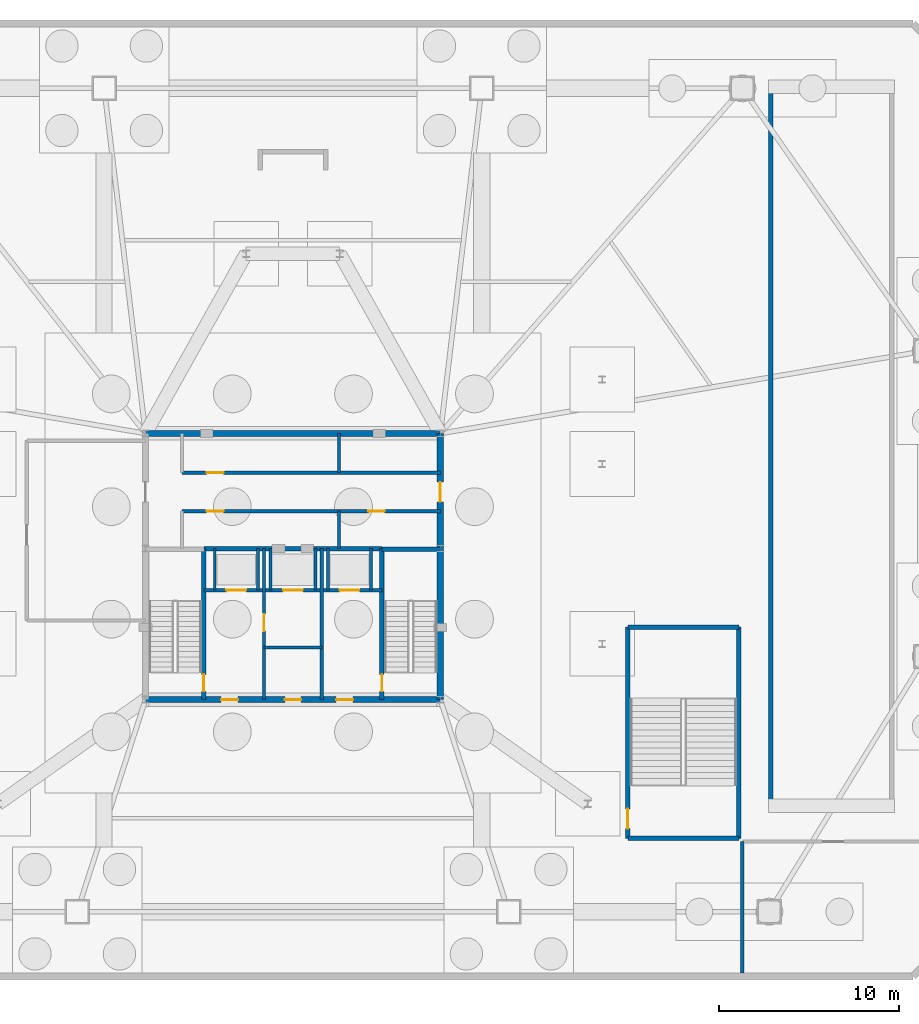
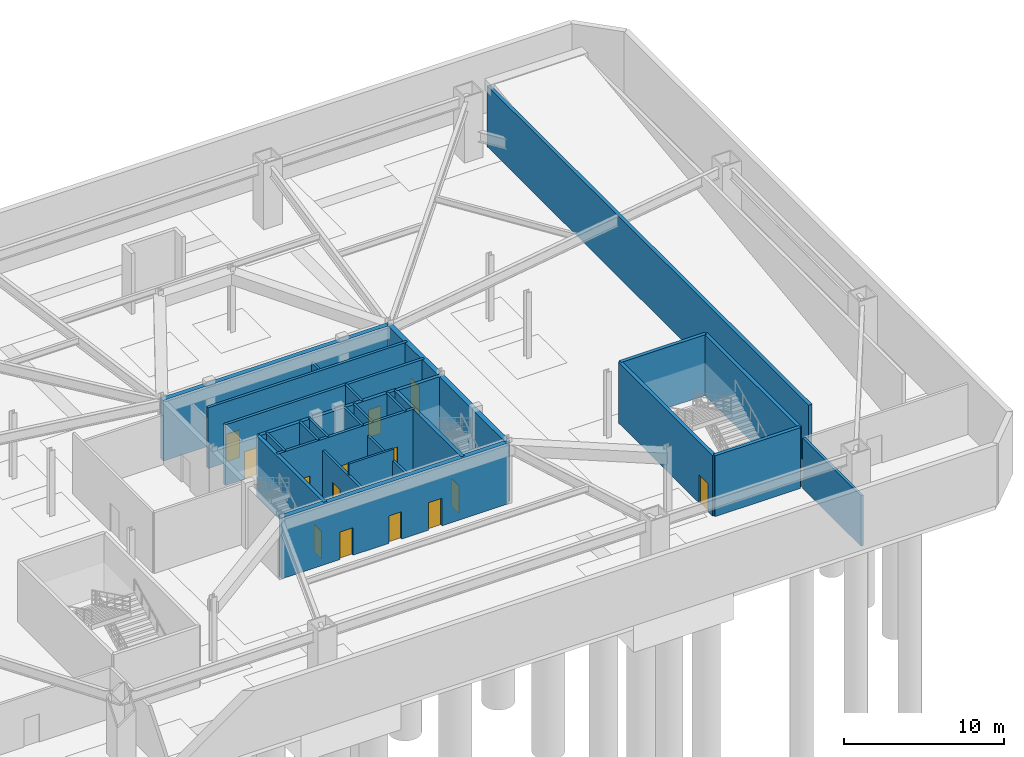
# One storey, part 8 of 12: 27 walls, 14 doors, 14 openings.
"""IFC4 building model written with IfcOpenShell, lengths in metres."""

from ifc_helpers import new_model, si_unit, direction, frame, frame_2d, origin, place, context, subcontext, project, spatial, rectangle, extrude, material, layer, layer_set, type_object, element, fill, save


model = new_model("IFC4")

# Units and contexts
model_context = context("Model", 3, precision=1e-05, world=origin(), true_north=direction((0.0, 1.0)))
body_context = subcontext(model_context, "Body", "Model", "MODEL_VIEW")
ifc_project = project(units=[si_unit("LENGTHUNIT", "METRE"), si_unit("AREAUNIT", "SQUARE_METRE"), si_unit("VOLUMEUNIT", "CUBIC_METRE"), si_unit("PLANEANGLEUNIT", "RADIAN"), si_unit("MASSUNIT", "GRAM", prefix="KILO")], contexts=[model_context])

# Site, building, storey
site_placement = place(None, origin())
site = spatial("IfcSite", under=ifc_project, at=site_placement, CompositionType="ELEMENT")
building_placement = place(site_placement, origin())
building = spatial("IfcBuilding", under=site, at=building_placement, Name="Varakhsha Concourse Tower", CompositionType="ELEMENT")
storey_placement = place(building_placement, frame((0.0, 0.0, -10.0)))
storey = spatial("IfcBuildingStorey", under=building, at=storey_placement, Name="B02", CompositionType="ELEMENT", Elevation=-10.0)

# Wall, openings, doors
ifc_material_1 = material(Name="Concrete fc 65 MPa", Category="concrete")
ifc_layer_1 = layer(ifc_material_1, 0.35009765625, Name="WL-CORE-350")
ifc_layer_set_1 = layer_set([ifc_layer_1], Name="Concrete fc 65 MPa")
wall_type_1 = type_object("IfcWallType", Name="WL-CORE-350", PredefinedType="SHEAR", material=ifc_layer_set_1)
wall_1_placement = place(storey_placement, frame((31.800048828125, 16.39990234375, 0.0), z_axis=(0.0, 0.0, 1.0), x_axis=(1.0, 0.0, 0.0)))
wall_1 = element("IfcWall", 1, at=wall_1_placement, inside=storey, type_object=wall_type_1, Name="B02 Wall CWALL-S-B02", PredefinedType="SHEAR", context=body_context, shape_type="SweptSolid", body=[
    extrude(rectangle(XDim=16.39990234375, YDim=0.35009765625, at=frame_2d((8.199951171875, 0.0))), origin(), (0.0, 0.0, 1.0), 4.639892578125),
])
opening_1_placement = place(wall_1_placement, frame((7.75, 0.0, 0.0)))
opening_1 = element("IfcOpeningElement", 2, at=opening_1_placement, cuts=wall_1, Name="Opening DF-06", PredefinedType="OPENING", context=body_context, shape_type="SweptSolid", body=[
    extrude(rectangle(XDim=0.89990234375, YDim=2.10009765625, at=frame_2d((0.449951171875, 1.050048828125))), frame((0.0, 0.18505859375, 0.0), z_axis=(0.0, -1.0, 0.0), x_axis=(1.0, 0.0, 0.0)), (0.0, 0.0, 1.0), 0.3701171875),
])
opening_2_placement = place(wall_1_placement, frame((4.199951171875, 0.0, 0.0)))
opening_2 = element("IfcOpeningElement", 3, at=opening_2_placement, cuts=wall_1, Name="Opening DF-05", PredefinedType="OPENING", context=body_context, shape_type="SweptSolid", body=[
    extrude(rectangle(XDim=0.949951171875, YDim=2.10009765625, at=frame_2d((0.47509765625, 1.050048828125))), frame((0.0, 0.18505859375, 0.0), z_axis=(0.0, -1.0, 0.0), x_axis=(1.0, 0.0, 0.0)), (0.0, 0.0, 1.0), 0.3701171875),
])
opening_3_placement = place(wall_1_placement, frame((10.60009765625, 0.0, 0.0)))
opening_3 = element("IfcOpeningElement", 4, at=opening_3_placement, cuts=wall_1, Name="Opening DF-05", PredefinedType="OPENING", context=body_context, shape_type="SweptSolid", body=[
    extrude(rectangle(XDim=0.949951171875, YDim=2.10009765625, at=frame_2d((0.47509765625, 1.050048828125))), frame((0.0, 0.18505859375, 0.0), z_axis=(0.0, -1.0, 0.0), x_axis=(1.0, 0.0, 0.0)), (0.0, 0.0, 1.0), 0.3701171875),
])
ifc_material_2 = material(Name="Hollow Galvanised Steel Fire Door Assembly", Category="steel")
door_type_1 = type_object("IfcDoorType", Name="DR-FD60-900", OperationType="NOTDEFINED", PredefinedType="DOOR", material=ifc_material_2)
door_1_placement = place(opening_1_placement, origin())
door_1 = element("IfcDoor", 5, at=door_1_placement, inside=storey, type_object=door_type_1, Name="B02 Electrical Riser Access Door", OperationType="SINGLE_SWING_LEFT", OverallHeight=2.10009765625, OverallWidth=0.89990234375, PredefinedType="DOOR", context=body_context, shape_type="SweptSolid", body=[
    extrude(rectangle(XDim=0.89990234375, YDim=2.10009765625, at=frame_2d((0.449951171875, 1.050048828125))), frame((0.0, 0.02490234375, 0.0), z_axis=(0.0, -1.0, 0.0), x_axis=(1.0, 0.0, 0.0)), (0.0, 0.0, 1.0), 0.050048828125),
])
fill(opening_1, door_1)
door_type_2 = type_object("IfcDoorType", Name="DR-FD60-950", OperationType="NOTDEFINED", PredefinedType="DOOR", material=ifc_material_2)
door_2_placement = place(opening_2_placement, origin())
door_2 = element("IfcDoor", 6, at=door_2_placement, inside=storey, type_object=door_type_2, Name="B02 Firefighting Lobby West Door", OperationType="SINGLE_SWING_RIGHT", OverallHeight=2.10009765625, OverallWidth=0.949951171875, PredefinedType="DOOR", context=body_context, shape_type="SweptSolid", body=[
    extrude(rectangle(XDim=0.949951171875, YDim=2.10009765625, at=frame_2d((0.47509765625, 1.050048828125))), frame((0.0, 0.02490234375, 0.0), z_axis=(0.0, -1.0, 0.0), x_axis=(1.0, 0.0, 0.0)), (0.0, 0.0, 1.0), 0.050048828125),
])
fill(opening_2, door_2)
door_3_placement = place(opening_3_placement, origin())
door_3 = element("IfcDoor", 7, at=door_3_placement, inside=storey, type_object=door_type_2, Name="B02 Firefighting Lobby East Door", OperationType="SINGLE_SWING_LEFT", OverallHeight=2.10009765625, OverallWidth=0.949951171875, PredefinedType="DOOR", context=body_context, shape_type="SweptSolid", body=[
    extrude(rectangle(XDim=0.949951171875, YDim=2.10009765625, at=frame_2d((0.47509765625, 1.050048828125))), frame((0.0, 0.02490234375, 0.0), z_axis=(0.0, -1.0, 0.0), x_axis=(1.0, 0.0, 0.0)), (0.0, 0.0, 1.0), 0.050048828125),
])
fill(opening_3, door_3)

# Wall
wall_2_placement = place(storey_placement, frame((31.800048828125, 31.199951171875, 0.0), z_axis=(0.0, 0.0, 1.0), x_axis=(1.0, 0.0, 0.0)))
element("IfcWall", 8, at=wall_2_placement, inside=storey, type_object=wall_type_1, Name="B02 Wall CWALL-N-B02", PredefinedType="SHEAR", context=body_context, shape_type="SweptSolid", body=[
    extrude(rectangle(XDim=16.39990234375, YDim=0.35009765625, at=frame_2d((8.199951171875, 0.0))), origin(), (0.0, 0.0, 1.0), 4.639892578125),
])

# Wall, opening, door
wall_3_placement = place(storey_placement, frame((48.199951171875, 16.39990234375, 0.0), z_axis=(0.0, 0.0, 1.0), x_axis=(0.0, 1.0, 0.0)))
wall_3 = element("IfcWall", 9, at=wall_3_placement, inside=storey, type_object=wall_type_1, Name="B02 Wall CWALL-E-B02", PredefinedType="SHEAR", context=body_context, shape_type="SweptSolid", body=[
    extrude(rectangle(XDim=14.800048828125, YDim=0.35009765625, at=frame_2d((7.39990234375, 0.0))), origin(), (0.0, 0.0, 1.0), 4.639892578125),
])
opening_4_placement = place(wall_3_placement, frame((11.0, 0.0, 0.0)))
opening_4 = element("IfcOpeningElement", 10, at=opening_4_placement, cuts=wall_3, Name="Opening DL-01", PredefinedType="OPENING", context=body_context, shape_type="SweptSolid", body=[
    extrude(rectangle(XDim=1.10009765625, YDim=2.14990234375, at=frame_2d((0.550048828125, 1.074951171875))), frame((0.0, 0.18505859375, 0.0), z_axis=(0.0, -1.0, 0.0), x_axis=(1.0, 0.0, 0.0)), (0.0, 0.0, 1.0), 0.3701171875),
])
ifc_material_3 = material(Name="Anodised Bronze Architectural Aluminium AA 6063-T6", Category="aluminium")
door_type_3 = type_object("IfcDoorType", Name="DR-LOB-1100", OperationType="NOTDEFINED", PredefinedType="DOOR", material=ifc_material_3)
door_4_placement = place(opening_4_placement, origin())
door_4 = element("IfcDoor", 11, at=door_4_placement, inside=storey, type_object=door_type_3, Name="B02 Lift Lobby East Concourse Door", OperationType="SINGLE_SWING_RIGHT", OverallHeight=2.14990234375, OverallWidth=1.10009765625, PredefinedType="DOOR", context=body_context, shape_type="SweptSolid", body=[
    extrude(rectangle(XDim=1.10009765625, YDim=2.14990234375, at=frame_2d((0.550048828125, 1.074951171875))), frame((0.0, 0.02490234375, 0.0), z_axis=(0.0, -1.0, 0.0), x_axis=(1.0, 0.0, 0.0)), (0.0, 0.0, 1.0), 0.050048828125),
])
fill(opening_4, door_4)

ifc_material_4 = material(Name="Fire-Rated Type X Gypsum Partition Assembly", Category="gypsum")
ifc_layer_2 = layer(ifc_material_4, 0.179931640625, Name="WL-FFLOB-180")
ifc_layer_set_2 = layer_set([ifc_layer_2], Name="Fire-Rated Type X Gypsum Partition Assembly")
wall_type_2 = type_object("IfcWallType", Name="WL-FFLOB-180", PredefinedType="PARTITIONING", material=ifc_layer_set_2)
wall_4_placement = place(storey_placement, frame((38.389892578125, 16.39990234375, 0.0), z_axis=(0.0, 0.0, 1.0), x_axis=(0.0, 1.0, 0.0)))
wall_4 = element("IfcWall", 12, at=wall_4_placement, inside=storey, type_object=wall_type_2, Name="B02 Wall FFW-1E-B02", PredefinedType="PARTITIONING", context=body_context, shape_type="SweptSolid", body=[
    extrude(rectangle(XDim=8.400146484375, YDim=0.179931640625, at=frame_2d((4.2001953125, 0.0))), origin(), (0.0, 0.0, 1.0), 3.780029296875),
])
opening_5_placement = place(wall_4_placement, frame((3.800048828125, 0.0, 0.0)))
opening_5 = element("IfcOpeningElement", 13, at=opening_5_placement, cuts=wall_4, Name="Opening DF-05", PredefinedType="OPENING", context=body_context, shape_type="SweptSolid", body=[
    extrude(rectangle(XDim=0.949951171875, YDim=2.10009765625, at=frame_2d((0.47509765625, 1.050048828125))), frame((0.0, 0.099853515625, 0.0), z_axis=(0.0, -1.0, 0.0), x_axis=(1.0, 0.0, 0.0)), (0.0, 0.0, 1.0), 0.199951171875),
])
door_5_placement = place(opening_5_placement, origin())
door_5 = element("IfcDoor", 14, at=door_5_placement, inside=storey, type_object=door_type_2, Name="B02 Service Vestibule Door", OperationType="SINGLE_SWING_RIGHT", OverallHeight=2.10009765625, OverallWidth=0.949951171875, PredefinedType="DOOR", context=body_context, shape_type="SweptSolid", body=[
    extrude(rectangle(XDim=0.949951171875, YDim=2.10009765625, at=frame_2d((0.47509765625, 1.050048828125))), frame((0.0, 0.02490234375, 0.0), z_axis=(0.0, -1.0, 0.0), x_axis=(1.0, 0.0, 0.0)), (0.0, 0.0, 1.0), 0.050048828125),
])
fill(opening_5, door_5)

# Walls
wall_5_placement = place(storey_placement, frame((41.610107421875, 16.39990234375, 0.0), z_axis=(0.0, 0.0, 1.0), x_axis=(0.0, 1.0, 0.0)))
element("IfcWall", 15, at=wall_5_placement, inside=storey, type_object=wall_type_2, Name="B02 Wall FFW-2W-B02", PredefinedType="PARTITIONING", context=body_context, shape_type="SweptSolid", body=[
    extrude(rectangle(XDim=8.400146484375, YDim=0.179931640625, at=frame_2d((4.2001953125, 0.0))), origin(), (0.0, 0.0, 1.0), 3.780029296875),
])
ifc_layer_3 = layer(ifc_material_4, 0.14990234375, Name="WL-PART-150")
ifc_layer_set_3 = layer_set([ifc_layer_3], Name="Fire-Rated Type X Gypsum Partition Assembly")
wall_type_3 = type_object("IfcWallType", Name="WL-PART-150", PredefinedType="PARTITIONING", material=ifc_layer_set_3)
wall_6_placement = place(storey_placement, frame((38.389892578125, 19.300048828125, 0.0), z_axis=(0.0, 0.0, 1.0), x_axis=(1.0, 0.0, 0.0)))
element("IfcWall", 16, at=wall_6_placement, inside=storey, type_object=wall_type_3, Name="B02 Wall RSW-H-B02", PredefinedType="PARTITIONING", context=body_context, shape_type="SweptSolid", body=[
    extrude(rectangle(XDim=3.22021484375, YDim=0.14990234375, at=frame_2d((1.610107421875, 0.0))), origin(), (0.0, 0.0, 1.0), 4.639892578125),
])
ifc_layer_4 = layer(ifc_material_4, 0.179931640625, Name="WL-PART-180")
ifc_layer_set_4 = layer_set([ifc_layer_4], Name="Fire-Rated Type X Gypsum Partition Assembly")
wall_type_4 = type_object("IfcWallType", Name="WL-PART-180", PredefinedType="PARTITIONING", material=ifc_layer_set_4)
wall_7_placement = place(storey_placement, frame((65.0, 1.199951171875, 0.0), z_axis=(0.0, 0.0, 1.0), x_axis=(0.0, 1.0, 0.0)))
element("IfcWall", 17, at=wall_7_placement, inside=storey, type_object=wall_type_4, Name="B02 Wall BWALL-PLB-W-B02", PredefinedType="PARTITIONING", context=body_context, shape_type="SweptSolid", body=[
    extrude(rectangle(XDim=7.300048828125, YDim=0.179931640625, at=frame_2d((3.64990234375, 0.0))), origin(), (0.0, 0.0, 1.0), 3.85107421875),
])

# Wall, openings, doors
ifc_layer_5 = layer(ifc_material_4, 0.199951171875, Name="WL-SHAFT-220")
ifc_layer_set_5 = layer_set([ifc_layer_5], Name="Fire-Rated Type X Gypsum Partition Assembly")
wall_type_5 = type_object("IfcWallType", Name="WL-SHAFT-220", PredefinedType="SOLIDWALL", material=ifc_layer_set_5)
wall_8_placement = place(storey_placement, frame((35.044921875, 22.47998046875, 0.0), z_axis=(0.0, 0.0, 1.0), x_axis=(1.0, 0.0, 0.0)))
wall_8 = element("IfcWall", 18, at=wall_8_placement, inside=storey, type_object=wall_type_5, Name="B02 Wall FFW-NH-B02", PredefinedType="SOLIDWALL", context=body_context, shape_type="SweptSolid", body=[
    extrude(rectangle(XDim=9.91015625, YDim=0.199951171875, at=frame_2d((4.955078125, 0.0))), origin(), (0.0, 0.0, 1.0), 4.639892578125),
])
opening_6_placement = place(wall_8_placement, frame((1.2548828125, 0.0, 0.0)))
opening_6 = element("IfcOpeningElement", 19, at=opening_6_placement, cuts=wall_8, Name="Opening LD-FFL-1", PredefinedType="OPENING", context=body_context, shape_type="SweptSolid", body=[
    extrude(rectangle(XDim=1.10009765625, YDim=2.14990234375, at=frame_2d((0.550048828125, 1.074951171875))), frame((0.0, 0.10986328125, 0.0), z_axis=(0.0, -1.0, 0.0), x_axis=(1.0, 0.0, 0.0)), (0.0, 0.0, 1.0), 0.219970703125),
])
opening_7_placement = place(wall_8_placement, frame((7.554931640625, 0.0, 0.0)))
opening_7 = element("IfcOpeningElement", 20, at=opening_7_placement, cuts=wall_8, Name="Opening LD-FFL-2", PredefinedType="OPENING", context=body_context, shape_type="SweptSolid", body=[
    extrude(rectangle(XDim=1.10009765625, YDim=2.14990234375, at=frame_2d((0.550048828125, 1.074951171875))), frame((0.0, 0.10986328125, 0.0), z_axis=(0.0, -1.0, 0.0), x_axis=(1.0, 0.0, 0.0)), (0.0, 0.0, 1.0), 0.219970703125),
])
opening_8_placement = place(wall_8_placement, frame((4.405029296875, 0.0, 0.0)))
opening_8 = element("IfcOpeningElement", 21, at=opening_8_placement, cuts=wall_8, Name="Opening LD-SVL-1", PredefinedType="OPENING", context=body_context, shape_type="SweptSolid", body=[
    extrude(rectangle(XDim=1.10009765625, YDim=2.14990234375, at=frame_2d((0.550048828125, 1.074951171875))), frame((0.0, 0.10986328125, 0.0), z_axis=(0.0, -1.0, 0.0), x_axis=(1.0, 0.0, 0.0)), (0.0, 0.0, 1.0), 0.219970703125),
])
ifc_material_5 = material(Name="Brushed Austenitic Stainless Steel AISI 316", Category="steel")
door_type_4 = type_object("IfcDoorType", Name="DR-LD-1100", OperationType="DOUBLE_DOOR_SLIDING", PredefinedType="DOOR", material=ifc_material_5)
door_6_placement = place(opening_6_placement, origin())
door_6 = element("IfcDoor", 22, at=door_6_placement, inside=storey, type_object=door_type_4, Name="Lift Landing Door FFL-1 B02", OperationType="DOUBLE_DOOR_SLIDING", OverallHeight=2.14990234375, OverallWidth=1.10009765625, PredefinedType="DOOR", context=body_context, shape_type="SweptSolid", body=[
    extrude(rectangle(XDim=1.10009765625, YDim=2.14990234375, at=frame_2d((0.550048828125, 1.074951171875))), frame((0.0, 0.02490234375, 0.0), z_axis=(0.0, -1.0, 0.0), x_axis=(1.0, 0.0, 0.0)), (0.0, 0.0, 1.0), 0.050048828125),
])
fill(opening_6, door_6)
door_7_placement = place(opening_7_placement, origin())
door_7 = element("IfcDoor", 23, at=door_7_placement, inside=storey, type_object=door_type_4, Name="Lift Landing Door FFL-2 B02", OperationType="DOUBLE_DOOR_SLIDING", OverallHeight=2.14990234375, OverallWidth=1.10009765625, PredefinedType="DOOR", context=body_context, shape_type="SweptSolid", body=[
    extrude(rectangle(XDim=1.10009765625, YDim=2.14990234375, at=frame_2d((0.550048828125, 1.074951171875))), frame((0.0, 0.02490234375, 0.0), z_axis=(0.0, -1.0, 0.0), x_axis=(1.0, 0.0, 0.0)), (0.0, 0.0, 1.0), 0.050048828125),
])
fill(opening_7, door_7)
door_8_placement = place(opening_8_placement, origin())
door_8 = element("IfcDoor", 24, at=door_8_placement, inside=storey, type_object=door_type_4, Name="Lift Landing Door SVL-1 B02", OperationType="DOUBLE_DOOR_SLIDING", OverallHeight=2.14990234375, OverallWidth=1.10009765625, PredefinedType="DOOR", context=body_context, shape_type="SweptSolid", body=[
    extrude(rectangle(XDim=1.10009765625, YDim=2.14990234375, at=frame_2d((0.550048828125, 1.074951171875))), frame((0.0, 0.02490234375, 0.0), z_axis=(0.0, -1.0, 0.0), x_axis=(1.0, 0.0, 0.0)), (0.0, 0.0, 1.0), 0.050048828125),
])
fill(opening_8, door_8)

# Walls
for number, where, z_axis, x_axis, name in (
    (25, (35.64990234375, 22.47998046875, 0.0), (0.0, 0.0, 1.0), (0.0, 1.0, 0.0), "B02 Wall SHW-FFL-1-W-B02"),
    (26, (38.050048828125, 22.47998046875, 0.0), (0.0, 0.0, 1.0), (0.0, 1.0, 0.0), "B02 Wall SHW-FFL-1-E-B02"),
    (27, (41.949951171875, 22.47998046875, 0.0), (0.0, 0.0, 1.0), (0.0, 1.0, 0.0), "B02 Wall SHW-FFL-2-W-B02"),
    (28, (44.35009765625, 22.47998046875, 0.0), (0.0, 0.0, 1.0), (0.0, 1.0, 0.0), "B02 Wall SHW-FFL-2-E-B02"),
    (29, (38.75, 22.47998046875, 0.0), (0.0, 0.0, 1.0), (0.0, 1.0, 0.0), "B02 Wall SHW-SVL-1-W-B02"),
    (30, (41.25, 22.47998046875, 0.0), (0.0, 0.0, 1.0), (0.0, 1.0, 0.0), "B02 Wall SHW-SVL-1-E-B02"),
):
    element("IfcWall", number, at=place(storey_placement, frame(where, z_axis=z_axis, x_axis=x_axis)), inside=storey, type_object=wall_type_5, Name=name, PredefinedType="SOLIDWALL", context=body_context, shape_type="SweptSolid", body=[
        extrude(rectangle(XDim=2.320068359375, YDim=0.159912109375, at=frame_2d((1.16015625, 0.0))), origin(), (0.0, 0.0, 1.0), 4.639892578125),
    ])

# Wall, opening, door
wall_9_placement = place(storey_placement, frame((33.820068359375, 29.02001953125, 0.0), z_axis=(0.0, 0.0, 1.0), x_axis=(1.0, 0.0, 0.0)))
wall_9 = element("IfcWall", 31, at=wall_9_placement, inside=storey, type_object=wall_type_5, Name="B02 Wall PLW-N-B02", PredefinedType="SOLIDWALL", context=body_context, shape_type="SweptSolid", body=[
    extrude(rectangle(XDim=14.3798828125, YDim=0.199951171875, at=frame_2d((7.18994140625, 0.0))), origin(), (0.0, 0.0, 1.0), 4.639892578125),
])
opening_9_placement = place(wall_9_placement, frame((1.3798828125, 0.0, 0.0)))
opening_9 = element("IfcOpeningElement", 32, at=opening_9_placement, cuts=wall_9, Name="Opening DF-05", PredefinedType="OPENING", context=body_context, shape_type="SweptSolid", body=[
    extrude(rectangle(XDim=0.949951171875, YDim=2.10009765625, at=frame_2d((0.47509765625, 1.050048828125))), frame((0.0, 0.10986328125, 0.0), z_axis=(0.0, -1.0, 0.0), x_axis=(1.0, 0.0, 0.0)), (0.0, 0.0, 1.0), 0.219970703125),
])
door_9_placement = place(opening_9_placement, origin())
door_9 = element("IfcDoor", 33, at=door_9_placement, inside=storey, type_object=door_type_2, Name="B02 Core Store Door", OperationType="SINGLE_SWING_LEFT", OverallHeight=2.10009765625, OverallWidth=0.949951171875, PredefinedType="DOOR", context=body_context, shape_type="SweptSolid", body=[
    extrude(rectangle(XDim=0.949951171875, YDim=2.10009765625, at=frame_2d((0.47509765625, 1.050048828125))), frame((0.0, 0.02490234375, 0.0), z_axis=(0.0, -1.0, 0.0), x_axis=(1.0, 0.0, 0.0)), (0.0, 0.0, 1.0), 0.050048828125),
])
fill(opening_9, door_9)

# Wall, openings, doors
wall_10_placement = place(storey_placement, frame((33.820068359375, 26.8798828125, 0.0), z_axis=(0.0, 0.0, 1.0), x_axis=(1.0, 0.0, 0.0)))
wall_10 = element("IfcWall", 34, at=wall_10_placement, inside=storey, type_object=wall_type_5, Name="B02 Wall PLW-S-B02", PredefinedType="SOLIDWALL", context=body_context, shape_type="SweptSolid", body=[
    extrude(rectangle(XDim=14.3798828125, YDim=0.199951171875, at=frame_2d((7.18994140625, 0.0))), origin(), (0.0, 0.0, 1.0), 4.639892578125),
])
opening_10_placement = place(wall_10_placement, frame((1.3798828125, 0.0, 0.0)))
opening_10 = element("IfcOpeningElement", 35, at=opening_10_placement, cuts=wall_10, Name="Opening DF-05", PredefinedType="OPENING", context=body_context, shape_type="SweptSolid", body=[
    extrude(rectangle(XDim=0.949951171875, YDim=2.10009765625, at=frame_2d((0.47509765625, 1.050048828125))), frame((0.0, 0.10986328125, 0.0), z_axis=(0.0, -1.0, 0.0), x_axis=(1.0, 0.0, 0.0)), (0.0, 0.0, 1.0), 0.219970703125),
])
opening_11_placement = place(wall_10_placement, frame((10.3798828125, 0.0, 0.0)))
opening_11 = element("IfcOpeningElement", 36, at=opening_11_placement, cuts=wall_10, Name="Opening DF-06", PredefinedType="OPENING", context=body_context, shape_type="SweptSolid", body=[
    extrude(rectangle(XDim=0.89990234375, YDim=2.10009765625, at=frame_2d((0.449951171875, 1.050048828125))), frame((0.0, 0.10986328125, 0.0), z_axis=(0.0, -1.0, 0.0), x_axis=(1.0, 0.0, 0.0)), (0.0, 0.0, 1.0), 0.219970703125),
])
door_10_placement = place(opening_11_placement, origin())
door_10 = element("IfcDoor", 37, at=door_10_placement, inside=storey, type_object=door_type_1, Name="B02 Basement Janitor Door", OperationType="SINGLE_SWING_LEFT", OverallHeight=2.10009765625, OverallWidth=0.89990234375, PredefinedType="DOOR", context=body_context, shape_type="SweptSolid", body=[
    extrude(rectangle(XDim=0.89990234375, YDim=2.10009765625, at=frame_2d((0.449951171875, 1.050048828125))), frame((0.0, 0.02490234375, 0.0), z_axis=(0.0, -1.0, 0.0), x_axis=(1.0, 0.0, 0.0)), (0.0, 0.0, 1.0), 0.050048828125),
])
fill(opening_11, door_10)
door_11_placement = place(opening_10_placement, origin())
door_11 = element("IfcDoor", 38, at=door_11_placement, inside=storey, type_object=door_type_2, Name="B02 Basement Telecoms Door", OperationType="SINGLE_SWING_RIGHT", OverallHeight=2.10009765625, OverallWidth=0.949951171875, PredefinedType="DOOR", context=body_context, shape_type="SweptSolid", body=[
    extrude(rectangle(XDim=0.949951171875, YDim=2.10009765625, at=frame_2d((0.47509765625, 1.050048828125))), frame((0.0, 0.02490234375, 0.0), z_axis=(0.0, -1.0, 0.0), x_axis=(1.0, 0.0, 0.0)), (0.0, 0.0, 1.0), 0.050048828125),
])
fill(opening_10, door_11)

# Walls
wall_11_placement = place(storey_placement, frame((42.56005859375, 29.02001953125, 0.0), z_axis=(0.0, 0.0, 1.0), x_axis=(0.0, 1.0, 0.0)))
element("IfcWall", 39, at=wall_11_placement, inside=storey, type_object=wall_type_5, Name="B02 Wall B1BOH-END-B02", PredefinedType="SOLIDWALL", context=body_context, shape_type="SweptSolid", body=[
    extrude(rectangle(XDim=2.179931640625, YDim=0.159912109375, at=frame_2d((1.08984375, 0.0))), origin(), (0.0, 0.0, 1.0), 3.780029296875),
])
wall_12_placement = place(storey_placement, frame((42.56005859375, 24.800048828125, 0.0), z_axis=(0.0, 0.0, 1.0), x_axis=(0.0, 1.0, 0.0)))
element("IfcWall", 40, at=wall_12_placement, inside=storey, type_object=wall_type_5, Name="B02 Wall B2BOH-END-B02", PredefinedType="SOLIDWALL", context=body_context, shape_type="SweptSolid", body=[
    extrude(rectangle(XDim=2.079833984375, YDim=0.159912109375, at=frame_2d((1.0400390625, 0.0))), origin(), (0.0, 0.0, 1.0), 4.639892578125),
])

# Wall, opening, door
ifc_material_6 = material(Name="Concrete fc 45 MPa", Category="concrete")
ifc_layer_6 = layer(ifc_material_6, 0.25, Name="WL-STAIR-250")
ifc_layer_set_6 = layer_set([ifc_layer_6], Name="Concrete fc 45 MPa")
wall_type_6 = type_object("IfcWallType", Name="WL-STAIR-250", PredefinedType="SHEAR", material=ifc_layer_set_6)
wall_13_placement = place(storey_placement, frame((35.044921875, 16.39990234375, 0.0), z_axis=(0.0, 0.0, 1.0), x_axis=(0.0, 1.0, 0.0)))
wall_13 = element("IfcWall", 41, at=wall_13_placement, inside=storey, type_object=wall_type_6, Name="B02 Wall SWALL-ST1-E-B02", PredefinedType="SHEAR", context=body_context, shape_type="SweptSolid", body=[
    extrude(rectangle(XDim=8.400146484375, YDim=0.25, at=frame_2d((4.2001953125, 0.0))), origin(), (0.0, 0.0, 1.0), 4.639892578125),
])
opening_12_placement = place(wall_13_placement, frame((0.449951171875, 0.0, 0.0)))
opening_12 = element("IfcOpeningElement", 42, at=opening_12_placement, cuts=wall_13, Name="Opening DF-03", PredefinedType="OPENING", context=body_context, shape_type="SweptSolid", body=[
    extrude(rectangle(XDim=0.949951171875, YDim=2.10009765625, at=frame_2d((0.47509765625, 1.050048828125))), frame((0.0, 0.135009765625, 0.0), z_axis=(0.0, -1.0, 0.0), x_axis=(1.0, 0.0, 0.0)), (0.0, 0.0, 1.0), 0.27001953125),
])
door_type_5 = type_object("IfcDoorType", Name="DR-FD90-950", OperationType="NOTDEFINED", PredefinedType="DOOR", material=ifc_material_2)
door_12_placement = place(opening_12_placement, origin())
door_12 = element("IfcDoor", 43, at=door_12_placement, inside=storey, type_object=door_type_5, Name="B02 Stair ST1 Fire Door", OperationType="SINGLE_SWING_LEFT", OverallHeight=2.10009765625, OverallWidth=0.949951171875, PredefinedType="DOOR", context=body_context, shape_type="SweptSolid", body=[
    extrude(rectangle(XDim=0.949951171875, YDim=2.10009765625, at=frame_2d((0.47509765625, 1.050048828125))), frame((0.0, 0.02490234375, 0.0), z_axis=(0.0, -1.0, 0.0), x_axis=(1.0, 0.0, 0.0)), (0.0, 0.0, 1.0), 0.050048828125),
])
fill(opening_12, door_12)

wall_14_placement = place(storey_placement, frame((44.955078125, 16.39990234375, 0.0), z_axis=(0.0, 0.0, 1.0), x_axis=(0.0, 1.0, 0.0)))
wall_14 = element("IfcWall", 44, at=wall_14_placement, inside=storey, type_object=wall_type_6, Name="B02 Wall SWALL-ST2-W-B02", PredefinedType="SHEAR", context=body_context, shape_type="SweptSolid", body=[
    extrude(rectangle(XDim=8.400146484375, YDim=0.25, at=frame_2d((4.2001953125, 0.0))), origin(), (0.0, 0.0, 1.0), 4.639892578125),
])
opening_13_placement = place(wall_14_placement, frame((0.449951171875, 0.0, 0.0)))
opening_13 = element("IfcOpeningElement", 45, at=opening_13_placement, cuts=wall_14, Name="Opening DF-03", PredefinedType="OPENING", context=body_context, shape_type="SweptSolid", body=[
    extrude(rectangle(XDim=0.949951171875, YDim=2.10009765625, at=frame_2d((0.47509765625, 1.050048828125))), frame((0.0, 0.135009765625, 0.0), z_axis=(0.0, -1.0, 0.0), x_axis=(1.0, 0.0, 0.0)), (0.0, 0.0, 1.0), 0.27001953125),
])
door_13_placement = place(opening_13_placement, origin())
door_13 = element("IfcDoor", 46, at=door_13_placement, inside=storey, type_object=door_type_5, Name="B02 Stair ST2 Fire Door", OperationType="SINGLE_SWING_RIGHT", OverallHeight=2.10009765625, OverallWidth=0.949951171875, PredefinedType="DOOR", context=body_context, shape_type="SweptSolid", body=[
    extrude(rectangle(XDim=0.949951171875, YDim=2.10009765625, at=frame_2d((0.47509765625, 1.050048828125))), frame((0.0, 0.02490234375, 0.0), z_axis=(0.0, -1.0, 0.0), x_axis=(1.0, 0.0, 0.0)), (0.0, 0.0, 1.0), 0.050048828125),
])
fill(opening_13, door_13)

# Walls
wall_15_placement = place(storey_placement, frame((44.955078125, 24.7548828125, 0.0), z_axis=(0.0, 0.0, 1.0), x_axis=(1.0, 0.0, 0.0)))
element("IfcWall", 47, at=wall_15_placement, inside=storey, type_object=wall_type_6, Name="B02 Wall SWALL-ST2-N-B02", PredefinedType="SHEAR", context=body_context, shape_type="SweptSolid", body=[
    extrude(rectangle(XDim=3.244873046875, YDim=0.25, at=frame_2d((1.62255859375, 0.0))), origin(), (0.0, 0.0, 1.0), 4.639892578125),
])
wall_16_placement = place(storey_placement, frame((35.044921875, 24.800048828125, 0.0), z_axis=(0.0, 0.0, 1.0), x_axis=(1.0, 0.0, 0.0)))
element("IfcWall", 48, at=wall_16_placement, inside=storey, type_object=wall_type_6, Name="B02 Wall SWALL-MID-H-B02", PredefinedType="SHEAR", context=body_context, shape_type="SweptSolid", body=[
    extrude(rectangle(XDim=9.91015625, YDim=0.25, at=frame_2d((4.955078125, 0.0))), origin(), (0.0, 0.0, 1.0), 4.639892578125),
])
for number, where, z_axis, x_axis, name in (
    (49, (58.635009765625, 20.425048828125, 0.0), (0.0, 0.0, 1.0), (1.0, 0.0, 0.0), "B02 Wall ST4W-N-B02"),
    (50, (58.635009765625, 8.675048828125, 0.0), (0.0, 0.0, 1.0), (1.0, 0.0, 0.0), "B02 Wall ST4W-S-B02"),
):
    element("IfcWall", number, at=place(storey_placement, frame(where, z_axis=z_axis, x_axis=x_axis)), inside=storey, type_object=wall_type_6, Name=name, PredefinedType="SHEAR", context=body_context, shape_type="SweptSolid", body=[
        extrude(rectangle(XDim=6.169921875, YDim=0.25, at=frame_2d((3.0849609375, 0.0))), origin(), (0.0, 0.0, 1.0), 4.639892578125),
    ])

# Wall, opening, door
wall_17_placement = place(storey_placement, frame((58.635009765625, 8.675048828125, 0.0), z_axis=(0.0, 0.0, 1.0), x_axis=(0.0, 1.0, 0.0)))
wall_17 = element("IfcWall", 51, at=wall_17_placement, inside=storey, type_object=wall_type_6, Name="B02 Wall ST4W-W-B02", PredefinedType="SHEAR", context=body_context, shape_type="SweptSolid", body=[
    extrude(rectangle(XDim=11.75, YDim=0.25, at=frame_2d((5.875, 0.0))), origin(), (0.0, 0.0, 1.0), 4.639892578125),
])
opening_14_placement = place(wall_17_placement, frame((0.550048828125, 0.0, 0.0)))
opening_14 = element("IfcOpeningElement", 52, at=opening_14_placement, cuts=wall_17, Name="Opening DF-02", PredefinedType="OPENING", context=body_context, shape_type="SweptSolid", body=[
    extrude(rectangle(XDim=1.10009765625, YDim=2.14990234375, at=frame_2d((0.550048828125, 1.074951171875))), frame((0.0, 0.135009765625, 0.0), z_axis=(0.0, -1.0, 0.0), x_axis=(1.0, 0.0, 0.0)), (0.0, 0.0, 1.0), 0.27001953125),
])
door_type_6 = type_object("IfcDoorType", Name="DR-FD90-1100", OperationType="NOTDEFINED", PredefinedType="DOOR", material=ifc_material_2)
door_14_placement = place(opening_14_placement, origin())
door_14 = element("IfcDoor", 53, at=door_14_placement, inside=storey, type_object=door_type_6, Name="B02 Stair ST4 Door", OperationType="SINGLE_SWING_RIGHT", OverallHeight=2.14990234375, OverallWidth=1.10009765625, PredefinedType="DOOR", context=body_context, shape_type="SweptSolid", body=[
    extrude(rectangle(XDim=1.10009765625, YDim=2.14990234375, at=frame_2d((0.550048828125, 1.074951171875))), frame((0.0, 0.02490234375, 0.0), z_axis=(0.0, -1.0, 0.0), x_axis=(1.0, 0.0, 0.0)), (0.0, 0.0, 1.0), 0.050048828125),
])
fill(opening_14, door_14)

# Walls
wall_18_placement = place(storey_placement, frame((64.804931640625, 8.675048828125, 0.0), z_axis=(0.0, 0.0, 1.0), x_axis=(0.0, 1.0, 0.0)))
element("IfcWall", 54, at=wall_18_placement, inside=storey, type_object=wall_type_6, Name="B02 Wall ST4W-E-B02", PredefinedType="SHEAR", context=body_context, shape_type="SweptSolid", body=[
    extrude(rectangle(XDim=11.75, YDim=0.25, at=frame_2d((5.875, 0.0))), origin(), (0.0, 0.0, 1.0), 4.639892578125),
])
wall_19_placement = place(storey_placement, frame((66.580078125, 10.39990234375, 0.0), z_axis=(0.0, 0.0, 1.0), x_axis=(0.0, 1.0, 0.0)))
element("IfcWall", 55, at=wall_19_placement, inside=storey, type_object=wall_type_6, Name="B02 Wall RMPW-B02-W", PredefinedType="SHEAR", context=body_context, shape_type="SweptSolid", body=[
    extrude(rectangle(XDim=40.2001953125, YDim=0.25, at=frame_2d((20.10009765625, 0.0))), origin(), (0.0, 0.0, 1.0), 4.639892578125),
])

save(model, "model.ifc")
